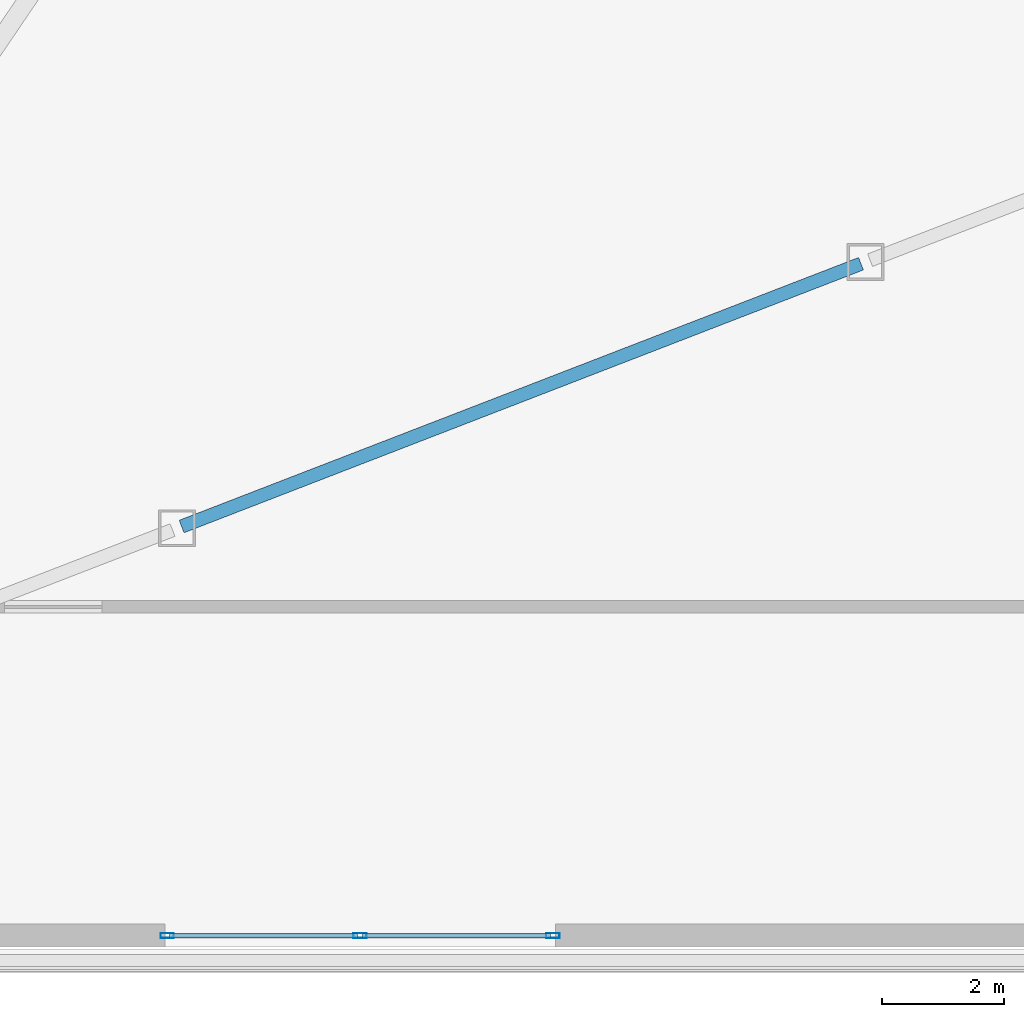
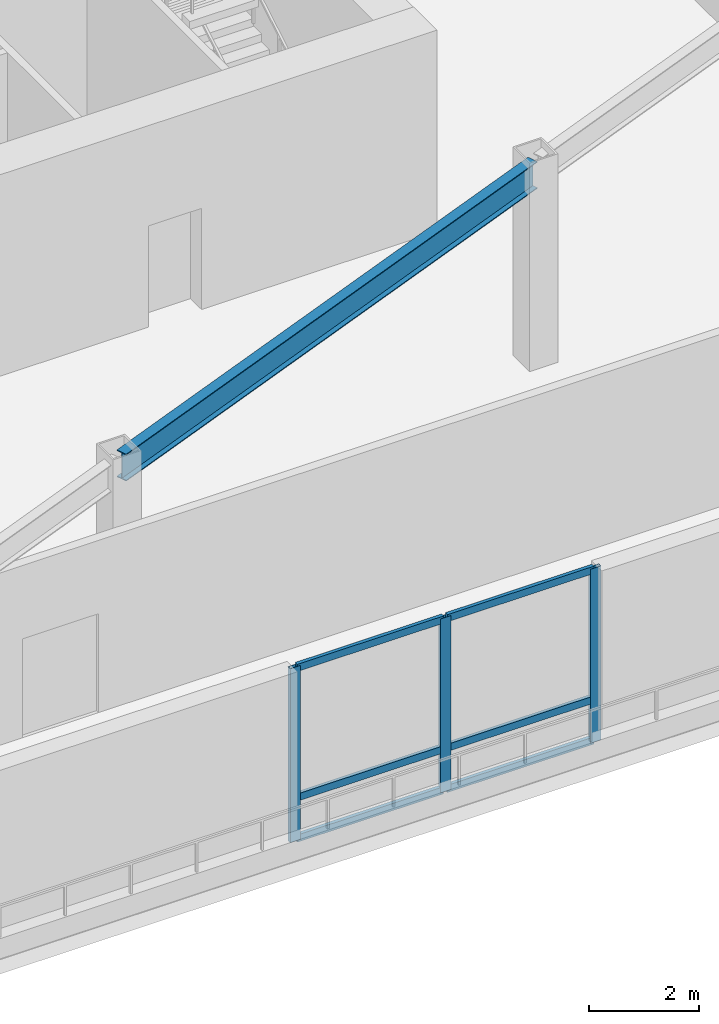
# One storey, part 2 of 14: 9 members, 1 beam, 1 element without a shape of its own.
"""IFC4 building model written with IfcOpenShell, lengths in metres."""

from ifc_helpers import new_model, si_unit, direction, frame, origin, origin_2d, place, context, subcontext, project, spatial, hollow_rectangle, i_section, extrude, source, transform, mapped, material, material_profile, profile_set, type_object, element, aggregate, save


model = new_model("IFC4")

# Units and contexts
model_context = context("Model", 3, precision=1e-05, world=origin(), true_north=direction((0.0, 1.0)))
body_context = subcontext(model_context, "Body", "Model", "MODEL_VIEW")
ifc_project = project(units=[si_unit("LENGTHUNIT", "METRE"), si_unit("AREAUNIT", "SQUARE_METRE"), si_unit("VOLUMEUNIT", "CUBIC_METRE"), si_unit("PLANEANGLEUNIT", "RADIAN"), si_unit("MASSUNIT", "GRAM", prefix="KILO")], contexts=[model_context])

# Site, building, storey
site_placement = place(None, origin())
site = spatial("IfcSite", under=ifc_project, at=site_placement, CompositionType="ELEMENT")
building_placement = place(site_placement, origin())
building = spatial("IfcBuilding", under=site, at=building_placement, Name="Olszyna Solenne Hotel", CompositionType="ELEMENT")
storey_placement = place(building_placement, frame((0.0, 0.0, 5.39990234375)))
storey = spatial("IfcBuildingStorey", under=building, at=storey_placement, Name="L01", CompositionType="ELEMENT", Elevation=5.39990234375)

# Beam
ifc_material_1 = material(Name="Steel S355J2", Category="steel")
ifc_material_profile_1 = material_profile(ifc_material_1, i_section(OverallWidth=0.219970703125, OverallDepth=0.60009765625, WebThickness=0.011962890625, FlangeThickness=0.01904296875, at=origin_2d()), Name="IPE 600", Category="load-bearing")
ifc_profile_set_1 = profile_set([ifc_material_profile_1], Name="Steel S355J2")
beam_type = type_object("IfcBeamType", Name="BM-F1", PredefinedType="BEAM", material=ifc_profile_set_1)
shared_shape_1 = source(origin(), body_context, "Body", "SweptSolid", [
    extrude(i_section(OverallWidth=0.219970703125, OverallDepth=0.60009765625, WebThickness=0.011962890625, FlangeThickness=0.01904296875, at=origin_2d()), origin(), (0.0, 0.0, 1.0), 11.94091796875),
])
beam_placement = place(storey_placement, frame((35.074951171875, 9.915283203125, 4.18017578125), z_axis=(0.932649339214, 0.360784159939, 0.0), x_axis=(-0.360784159939, 0.932649339214, 0.0)))
element("IfcBeam", 1, at=beam_placement, inside=storey, type_object=beam_type, Name="Podium ring girder BM-F1 BRG-L01-62", PredefinedType="BEAM", context=body_context, shape_type="MappedRepresentation", body=[
    mapped(shared_shape_1, transform((0.0, 0.0, 0.0), x_axis=(1.0, 0.0, 0.0), y_axis=(0.0, 1.0, 0.0), z_axis=(0.0, 0.0, 1.0), scale=1.0)),
])

# Curtain wall, members
ifc_material_2 = material(Name="Anodised bronze aluminium", Category="aluminium")
curtain_wall_type = type_object("IfcCurtainWallType", Name="CW-SYS-1", PredefinedType="NOTDEFINED", material=ifc_material_2)
curtain_wall_placement = place(storey_placement, origin())
curtain_wall = element("IfcCurtainWall", 2, at=curtain_wall_placement, inside=storey, type_object=curtain_wall_type, Name="Unitised curtain wall CW-SYS-1 CW-L01-01", PredefinedType="NOTDEFINED")
ifc_material_profile_2 = material_profile(ifc_material_2, hollow_rectangle(XDim=0.074951171875, YDim=0.159912109375, WallThickness=0.00390625, at=origin_2d()), Name="TRAN 160x75x4", Category="load-bearing")
ifc_profile_set_2 = profile_set([ifc_material_profile_2], Name="Anodised bronze aluminium")
member_type_1 = type_object("IfcMemberType", Name="CW-T1", PredefinedType="USERDEFINED", material=ifc_profile_set_2)
shared_shape_2 = source(origin(), body_context, "Body", "SweptSolid", [
    extrude(hollow_rectangle(XDim=0.074951171875, YDim=0.159912109375, WallThickness=0.00390625, at=origin_2d()), origin(), (0.0, 0.0, 1.0), 3.080078125),
])
member_1_placement = place(storey_placement, frame((34.8798828125, 3.2099609375, 0.03759765625), z_axis=(1.0, 0.0, 0.0), x_axis=(0.0, 1.0, 0.0)))
member_1 = element("IfcMember", 3, at=member_1_placement, type_object=member_type_1, Name="Curtain-wall transom CW-T1 CT-L01-01-01", ObjectType="TRANSOM", PredefinedType="USERDEFINED", context=body_context, shape_type="MappedRepresentation", body=[
    mapped(shared_shape_2, transform((0.0, 0.0, 0.0), x_axis=(1.0, 0.0, 0.0), y_axis=(0.0, 1.0, 0.0), z_axis=(0.0, 0.0, 1.0), scale=1.0)),
])
member_2_placement = place(storey_placement, frame((34.8798828125, 3.2099609375, 0.9501953125), z_axis=(1.0, 0.0, 0.0), x_axis=(0.0, 1.0, 0.0)))
member_2 = element("IfcMember", 4, at=member_2_placement, type_object=member_type_1, Name="Curtain-wall transom CW-T1 CT-L01-01-02", ObjectType="TRANSOM", PredefinedType="USERDEFINED", context=body_context, shape_type="MappedRepresentation", body=[
    mapped(shared_shape_2, transform((0.0, 0.0, 0.0), x_axis=(1.0, 0.0, 0.0), y_axis=(0.0, 1.0, 0.0), z_axis=(0.0, 0.0, 1.0), scale=1.0)),
])
member_3_placement = place(storey_placement, frame((34.8798828125, 3.2099609375, 3.834716796875), z_axis=(1.0, 0.0, 0.0), x_axis=(0.0, 1.0, 0.0)))
member_3 = element("IfcMember", 5, at=member_3_placement, type_object=member_type_1, Name="Curtain-wall transom CW-T1 CT-L01-01-03", ObjectType="TRANSOM", PredefinedType="USERDEFINED", context=body_context, shape_type="MappedRepresentation", body=[
    mapped(shared_shape_2, transform((0.0, 0.0, 0.0), x_axis=(1.0, 0.0, 0.0), y_axis=(0.0, 1.0, 0.0), z_axis=(0.0, 0.0, 1.0), scale=1.0)),
])
member_4_placement = place(storey_placement, frame((38.0400390625, 3.2099609375, 0.03759765625), z_axis=(1.0, 0.0, 0.0), x_axis=(0.0, 1.0, 0.0)))
member_4 = element("IfcMember", 6, at=member_4_placement, type_object=member_type_1, Name="Curtain-wall transom CW-T1 CT-L01-01-04", ObjectType="TRANSOM", PredefinedType="USERDEFINED", context=body_context, shape_type="MappedRepresentation", body=[
    mapped(shared_shape_2, transform((0.0, 0.0, 0.0), x_axis=(1.0, 0.0, 0.0), y_axis=(0.0, 1.0, 0.0), z_axis=(0.0, 0.0, 1.0), scale=1.0)),
])
member_5_placement = place(storey_placement, frame((38.0400390625, 3.2099609375, 0.9501953125), z_axis=(1.0, 0.0, 0.0), x_axis=(0.0, 1.0, 0.0)))
member_5 = element("IfcMember", 7, at=member_5_placement, type_object=member_type_1, Name="Curtain-wall transom CW-T1 CT-L01-01-05", ObjectType="TRANSOM", PredefinedType="USERDEFINED", context=body_context, shape_type="MappedRepresentation", body=[
    mapped(shared_shape_2, transform((0.0, 0.0, 0.0), x_axis=(1.0, 0.0, 0.0), y_axis=(0.0, 1.0, 0.0), z_axis=(0.0, 0.0, 1.0), scale=1.0)),
])
member_6_placement = place(storey_placement, frame((38.0400390625, 3.2099609375, 3.834716796875), z_axis=(1.0, 0.0, 0.0), x_axis=(0.0, 1.0, 0.0)))
member_6 = element("IfcMember", 8, at=member_6_placement, type_object=member_type_1, Name="Curtain-wall transom CW-T1 CT-L01-01-06", ObjectType="TRANSOM", PredefinedType="USERDEFINED", context=body_context, shape_type="MappedRepresentation", body=[
    mapped(shared_shape_2, transform((0.0, 0.0, 0.0), x_axis=(1.0, 0.0, 0.0), y_axis=(0.0, 1.0, 0.0), z_axis=(0.0, 0.0, 1.0), scale=1.0)),
])
ifc_material_profile_3 = material_profile(ifc_material_2, hollow_rectangle(XDim=0.080078125, YDim=0.219970703125, WallThickness=0.0048828125, at=origin_2d()), Name="MULL 220x80x5", Category="load-bearing")
ifc_profile_set_3 = profile_set([ifc_material_profile_3], Name="Anodised bronze aluminium")
member_type_2 = type_object("IfcMemberType", Name="CW-M1", PredefinedType="MULLION", material=ifc_profile_set_3)
shared_shape_3 = source(origin(), body_context, "Body", "SweptSolid", [
    extrude(hollow_rectangle(XDim=0.080078125, YDim=0.219970703125, WallThickness=0.0048828125, at=origin_2d()), origin(), (0.0, 0.0, 1.0), 3.8720703125),
])
member_7_placement = place(storey_placement, frame((34.840087890625, 3.2099609375, 0.0), z_axis=(0.0, 0.0, 1.0), x_axis=(0.0, 1.0, 0.0)))
member_7 = element("IfcMember", 9, at=member_7_placement, type_object=member_type_2, Name="Curtain-wall mullion CW-M1 CM-L01-01-01", PredefinedType="MULLION", context=body_context, shape_type="MappedRepresentation", body=[
    mapped(shared_shape_3, transform((0.0, 0.0, 0.0), x_axis=(1.0, 0.0, 0.0), y_axis=(0.0, 1.0, 0.0), z_axis=(0.0, 0.0, 1.0), scale=1.0)),
])
member_8_placement = place(storey_placement, frame((38.0, 3.2099609375, 0.0), z_axis=(0.0, 0.0, 1.0), x_axis=(0.0, 1.0, 0.0)))
member_8 = element("IfcMember", 10, at=member_8_placement, type_object=member_type_2, Name="Curtain-wall mullion CW-M1 CM-L01-01-02", PredefinedType="MULLION", context=body_context, shape_type="MappedRepresentation", body=[
    mapped(shared_shape_3, transform((0.0, 0.0, 0.0), x_axis=(1.0, 0.0, 0.0), y_axis=(0.0, 1.0, 0.0), z_axis=(0.0, 0.0, 1.0), scale=1.0)),
])
member_9_placement = place(storey_placement, frame((41.159912109375, 3.2099609375, 0.0), z_axis=(0.0, 0.0, 1.0), x_axis=(0.0, 1.0, 0.0)))
member_9 = element("IfcMember", 11, at=member_9_placement, type_object=member_type_2, Name="Curtain-wall mullion CW-M1 CM-L01-01-03", PredefinedType="MULLION", context=body_context, shape_type="MappedRepresentation", body=[
    mapped(shared_shape_3, transform((0.0, 0.0, 0.0), x_axis=(1.0, 0.0, 0.0), y_axis=(0.0, 1.0, 0.0), z_axis=(0.0, 0.0, 1.0), scale=1.0)),
])
aggregate(curtain_wall, [member_7, member_8, member_9, member_1, member_2, member_3, member_4, member_5, member_6])

save(model, "model.ifc")
